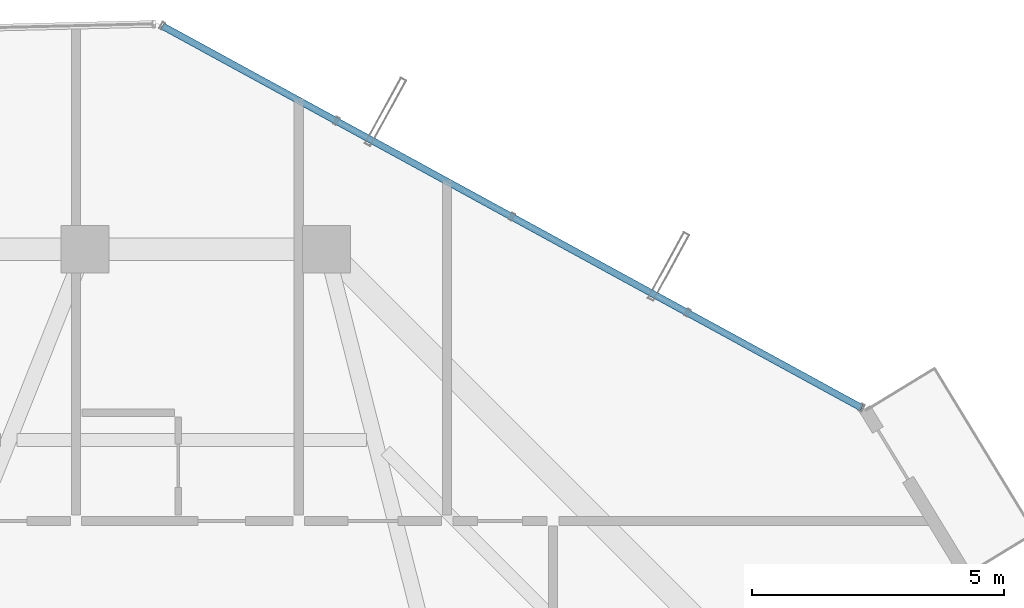
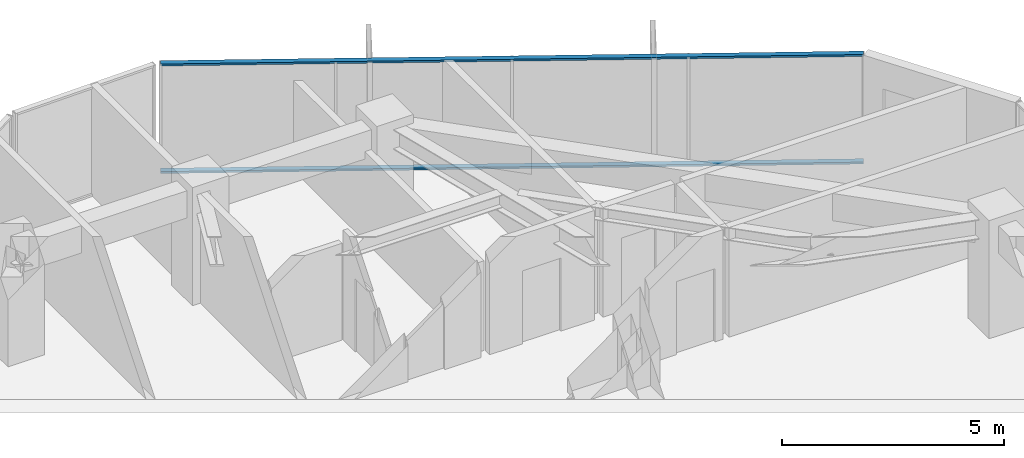
# One storey, part 25 of 32: 2 members, 1 element without a shape of its own.
"""IFC4 building model written with IfcOpenShell, lengths in metres."""

from ifc_helpers import new_model, si_unit, direction, frame, origin, origin_2d, place, context, subcontext, project, spatial, hollow_rectangle, extrude, source, transform, mapped, material, layer, layer_set, material_profile, profile_set, type_object, element, aggregate, save


model = new_model("IFC4")

# Units and contexts
model_context = context("Model", 3, precision=1e-05, world=origin(), true_north=direction((0.0, 1.0)))
body_context = subcontext(model_context, "Body", "Model", "MODEL_VIEW")
ifc_project = project(units=[si_unit("LENGTHUNIT", "METRE"), si_unit("AREAUNIT", "SQUARE_METRE"), si_unit("VOLUMEUNIT", "CUBIC_METRE"), si_unit("PLANEANGLEUNIT", "RADIAN"), si_unit("MASSUNIT", "GRAM", prefix="KILO")], contexts=[model_context])

# Site, building, storey
site_placement = place(None, origin())
site = spatial("IfcSite", under=ifc_project, at=site_placement, CompositionType="ELEMENT")
building_placement = place(site_placement, origin())
building = spatial("IfcBuilding", under=site, at=building_placement, Name="Veraguas Prism Commons", CompositionType="ELEMENT")
storey_placement = place(building_placement, frame((0.0, 0.0, 201.60009765625)))
storey = spatial("IfcBuildingStorey", under=building, at=storey_placement, Name="L57", CompositionType="ELEMENT", Elevation=201.60009765625)

# Curtain wall, members
ifc_material = material(Name="Anodised aluminium EN AW-6063 T6", Category="aluminium")
ifc_layer = layer(ifc_material, 0.14990234375, Name="Unitised Flush Curtain Wall Zone 3", Category="aluminium")
ifc_layer_set = layer_set([ifc_layer], Name="Anodised aluminium EN AW-6063 T6")
curtain_wall_type = type_object("IfcCurtainWallType", Name="Unitised Flush Curtain Wall Zone 3", PredefinedType="NOTDEFINED", material=ifc_layer_set)
curtain_wall_placement = place(storey_placement, origin())
curtain_wall = element("IfcCurtainWall", 1, at=curtain_wall_placement, inside=storey, type_object=curtain_wall_type, Name="Tower Facade Curtain Wall L57-F1", PredefinedType="NOTDEFINED")
ifc_material_profile = material_profile(ifc_material, hollow_rectangle(XDim=0.054931640625, YDim=0.135009765625, WallThickness=0.0029296875, at=origin_2d()), Name="AL55X135X3")
ifc_profile_set = profile_set([ifc_material_profile], Name="Anodised aluminium EN AW-6063 T6")
member_type = type_object("IfcMemberType", Name="Curtain Wall Transom Standard AL 55x135x3", PredefinedType="USERDEFINED", material=ifc_profile_set)
shared_shape = source(origin(), body_context, "Body", "SweptSolid", [
    extrude(hollow_rectangle(XDim=0.054931640625, YDim=0.135009765625, WallThickness=0.0029296875, at=origin_2d()), origin(), (0.0, 0.0, 1.0), 15.842529296875),
])
member_1_placement = place(storey_placement, frame((39.440673828125, 35.74658203125, 0.02734375), z_axis=(-0.877643975882, 0.479313103929, 0.0), x_axis=(0.0, 0.0, 1.0)))
member_1 = element("IfcMember", 2, at=member_1_placement, type_object=member_type, Name="CW-Z3 Transom 1", ObjectType="TRANSOM", PredefinedType="USERDEFINED", context=body_context, shape_type="MappedRepresentation", body=[
    mapped(shared_shape, transform((0.0, 0.0, 0.0), scale=1.0)),
])
member_2_placement = place(storey_placement, frame((39.440673828125, 35.74658203125, 2.9873046875), z_axis=(-0.877643975882, 0.479313103929, 0.0), x_axis=(0.0, 0.0, 1.0)))
member_2 = element("IfcMember", 3, at=member_2_placement, type_object=member_type, Name="CW-Z3 Transom 2", ObjectType="TRANSOM", PredefinedType="USERDEFINED", context=body_context, shape_type="MappedRepresentation", body=[
    mapped(shared_shape, transform((0.0, 0.0, 0.0), scale=1.0)),
])
aggregate(curtain_wall, [member_1, member_2])

save(model, "model.ifc")
